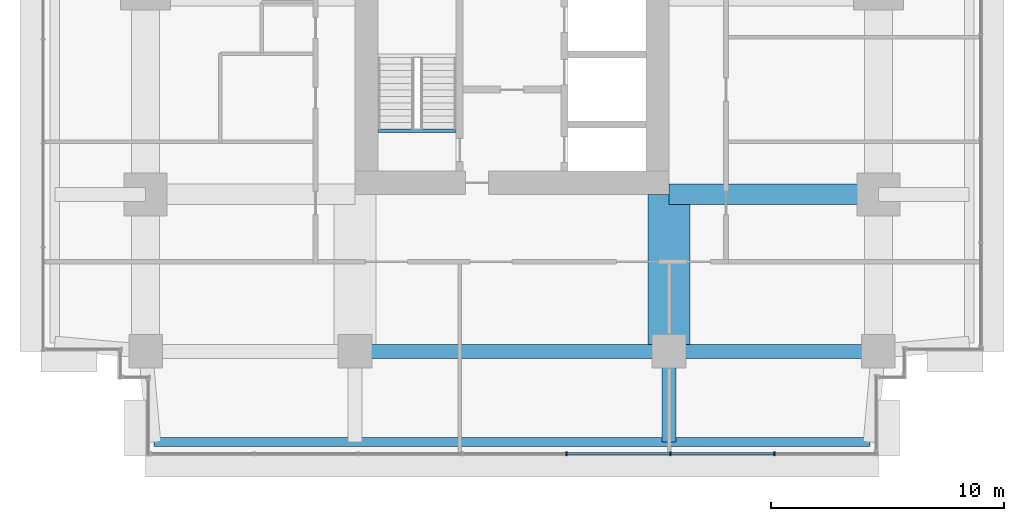
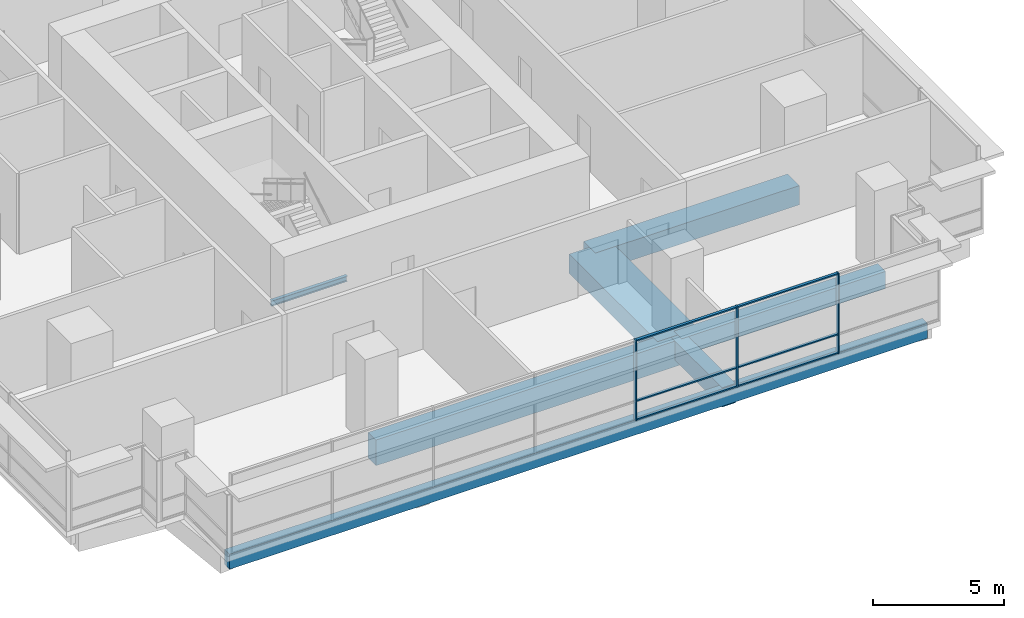
# One storey, part 3 of 14: 9 members, 7 beams, 1 element without a shape of its own.
"""IFC4 building model written with IfcOpenShell, lengths in metres."""

from ifc_helpers import new_model, si_unit, direction, frame, origin, origin_2d, place, context, subcontext, project, spatial, rectangle, i_section, extrude, material, layer, layer_set, material_profile, profile_set, type_object, element, aggregate, save


model = new_model("IFC4")

# Units and contexts
model_context = context("Model", 3, precision=1e-05, world=origin(), true_north=direction((0.0, 1.0)))
body_context = subcontext(model_context, "Body", "Model", "MODEL_VIEW")
ifc_project = project(units=[si_unit("LENGTHUNIT", "METRE"), si_unit("AREAUNIT", "SQUARE_METRE"), si_unit("VOLUMEUNIT", "CUBIC_METRE"), si_unit("PLANEANGLEUNIT", "RADIAN"), si_unit("MASSUNIT", "GRAM", prefix="KILO")], contexts=[model_context])

# Site, building, storey
site_placement = place(None, origin())
site = spatial("IfcSite", under=ifc_project, at=site_placement, CompositionType="ELEMENT")
building_placement = place(site_placement, origin())
building = spatial("IfcBuilding", under=site, at=building_placement, Name="Namib Vertical Campus", CompositionType="ELEMENT")
storey_placement = place(building_placement, frame((0.0, 0.0, 269.0)))
storey = spatial("IfcBuildingStorey", under=building, at=storey_placement, Name="L63", CompositionType="ELEMENT", Elevation=269.0)

# Beam
ifc_material_1 = material(Name="Concrete C40/50", Category="concrete")
ifc_material_profile_1 = material_profile(ifc_material_1, rectangle(XDim=0.60009765625, YDim=0.89990234375, at=origin_2d()))
ifc_profile_set_1 = profile_set([ifc_material_profile_1], Name="Concrete C40/50")
beam_type_1 = type_object("IfcBeamType", Name="Cantilever girder RC 600x900", PredefinedType="BEAM", material=ifc_profile_set_1)
beam_1_placement = place(storey_placement, frame((27.0, 4.5, -0.699951171875), z_axis=(0.0, -1.0, 0.0), x_axis=(1.0, 0.0, 0.0)))
element("IfcBeam", 1, at=beam_1_placement, inside=storey, type_object=beam_type_1, Name="Beam B3 L63", PredefinedType="BEAM", context=body_context, shape_type="SweptSolid", body=[
    extrude(rectangle(XDim=0.60009765625, YDim=0.89990234375, at=origin_2d()), origin(), (0.0, 0.0, 1.0), 3.89990234375),
])

# Curtain wall, members
ifc_material_2 = material(Name="Black aluminium curtain wall", Category="aluminium")
ifc_layer = layer(ifc_material_2, 0.199951171875)
ifc_layer_set = layer_set([ifc_layer], Name="Lounge bench curtain wall CW-LB")
curtain_wall_type = type_object("IfcCurtainWallType", Name="Lounge bench curtain wall CW-LB", PredefinedType="USERDEFINED", material=ifc_layer_set)
curtain_wall_placement = place(storey_placement, origin())
curtain_wall = element("IfcCurtainWall", 2, at=curtain_wall_placement, inside=storey, type_object=curtain_wall_type, Name="Curtain wall CW-LB L63 F01-1", ObjectType="CURTAIN WALL", PredefinedType="USERDEFINED")
ifc_material_3 = material(Name="Black anodised aluminium", Category="aluminium")
ifc_material_profile_2 = material_profile(ifc_material_3, rectangle(XDim=0.06005859375, YDim=0.159912109375, at=origin_2d()))
ifc_profile_set_2 = profile_set([ifc_material_profile_2], Name="Black anodised aluminium")
member_type_1 = type_object("IfcMemberType", Name="Curtain wall mullion 60x160", PredefinedType="MULLION", material=ifc_profile_set_2)
member_1_placement = place(storey_placement, frame((22.585693359375, 0.10009765625, 0.0), z_axis=(0.0, 0.0, 1.0), x_axis=(1.0, 0.0, 0.0)))
member_1 = element("IfcMember", 3, at=member_1_placement, type_object=member_type_1, Name="CW-LB mullion 5", PredefinedType="MULLION", context=body_context, shape_type="SweptSolid", body=[
    extrude(rectangle(XDim=0.06005859375, YDim=0.159912109375, at=origin_2d()), origin(), (0.0, 0.0, 1.0), 3.75),
])
member_2_placement = place(storey_placement, frame((27.05712890625, 0.10009765625, 0.0), z_axis=(0.0, 0.0, 1.0), x_axis=(1.0, 0.0, 0.0)))
member_2 = element("IfcMember", 4, at=member_2_placement, type_object=member_type_1, Name="CW-LB mullion 6", PredefinedType="MULLION", context=body_context, shape_type="SweptSolid", body=[
    extrude(rectangle(XDim=0.06005859375, YDim=0.159912109375, at=origin_2d()), origin(), (0.0, 0.0, 1.0), 3.75),
])
member_3_placement = place(storey_placement, frame((31.528564453125, 0.10009765625, 0.0), z_axis=(0.0, 0.0, 1.0), x_axis=(1.0, 0.0, 0.0)))
member_3 = element("IfcMember", 5, at=member_3_placement, type_object=member_type_1, Name="CW-LB mullion 7", PredefinedType="MULLION", context=body_context, shape_type="SweptSolid", body=[
    extrude(rectangle(XDim=0.06005859375, YDim=0.159912109375, at=origin_2d()), origin(), (0.0, 0.0, 1.0), 3.75),
])
ifc_material_4 = material(Name="Black anodised aluminium", Category="aluminium")
ifc_material_profile_3 = material_profile(ifc_material_4, rectangle(XDim=0.06005859375, YDim=0.1201171875, at=origin_2d()))
ifc_profile_set_3 = profile_set([ifc_material_profile_3], Name="Black anodised aluminium")
member_type_2 = type_object("IfcMemberType", Name="Curtain wall transom 60x120", PredefinedType="USERDEFINED", material=ifc_profile_set_3)
member_4_placement = place(storey_placement, frame((22.61572265625, 0.10009765625, 0.030029296875), z_axis=(1.0, 0.0, 0.0), x_axis=(0.0, 0.0, 1.0)))
member_4 = element("IfcMember", 6, at=member_4_placement, type_object=member_type_2, Name="CW-LB transom 5.1", ObjectType="TRANSOM", PredefinedType="USERDEFINED", context=body_context, shape_type="SweptSolid", body=[
    extrude(rectangle(XDim=0.06005859375, YDim=0.1201171875, at=origin_2d()), origin(), (0.0, 0.0, 1.0), 4.411376953125),
])
member_5_placement = place(storey_placement, frame((22.61572265625, 0.10009765625, 0.89990234375), z_axis=(1.0, 0.0, 0.0), x_axis=(0.0, 0.0, 1.0)))
member_5 = element("IfcMember", 7, at=member_5_placement, type_object=member_type_2, Name="CW-LB transom 5.2", ObjectType="TRANSOM", PredefinedType="USERDEFINED", context=body_context, shape_type="SweptSolid", body=[
    extrude(rectangle(XDim=0.06005859375, YDim=0.1201171875, at=origin_2d()), origin(), (0.0, 0.0, 1.0), 4.411376953125),
])
member_6_placement = place(storey_placement, frame((22.61572265625, 0.10009765625, 3.719970703125), z_axis=(1.0, 0.0, 0.0), x_axis=(0.0, 0.0, 1.0)))
member_6 = element("IfcMember", 8, at=member_6_placement, type_object=member_type_2, Name="CW-LB transom 5.3", ObjectType="TRANSOM", PredefinedType="USERDEFINED", context=body_context, shape_type="SweptSolid", body=[
    extrude(rectangle(XDim=0.06005859375, YDim=0.1201171875, at=origin_2d()), origin(), (0.0, 0.0, 1.0), 4.411376953125),
])
member_7_placement = place(storey_placement, frame((27.087158203125, 0.10009765625, 0.030029296875), z_axis=(1.0, 0.0, 0.0), x_axis=(0.0, 0.0, 1.0)))
member_7 = element("IfcMember", 9, at=member_7_placement, type_object=member_type_2, Name="CW-LB transom 6.1", ObjectType="TRANSOM", PredefinedType="USERDEFINED", context=body_context, shape_type="SweptSolid", body=[
    extrude(rectangle(XDim=0.06005859375, YDim=0.1201171875, at=origin_2d()), origin(), (0.0, 0.0, 1.0), 4.411376953125),
])
member_8_placement = place(storey_placement, frame((27.087158203125, 0.10009765625, 0.89990234375), z_axis=(1.0, 0.0, 0.0), x_axis=(0.0, 0.0, 1.0)))
member_8 = element("IfcMember", 10, at=member_8_placement, type_object=member_type_2, Name="CW-LB transom 6.2", ObjectType="TRANSOM", PredefinedType="USERDEFINED", context=body_context, shape_type="SweptSolid", body=[
    extrude(rectangle(XDim=0.06005859375, YDim=0.1201171875, at=origin_2d()), origin(), (0.0, 0.0, 1.0), 4.411376953125),
])
member_9_placement = place(storey_placement, frame((27.087158203125, 0.10009765625, 3.719970703125), z_axis=(1.0, 0.0, 0.0), x_axis=(0.0, 0.0, 1.0)))
member_9 = element("IfcMember", 11, at=member_9_placement, type_object=member_type_2, Name="CW-LB transom 6.3", ObjectType="TRANSOM", PredefinedType="USERDEFINED", context=body_context, shape_type="SweptSolid", body=[
    extrude(rectangle(XDim=0.06005859375, YDim=0.1201171875, at=origin_2d()), origin(), (0.0, 0.0, 1.0), 4.411376953125),
])
aggregate(curtain_wall, [member_1, member_2, member_3, member_4, member_5, member_6, member_7, member_8, member_9])

# Beams
ifc_material_5 = material(Name="Concrete C40/50", Category="concrete")
ifc_material_profile_4 = material_profile(ifc_material_5, rectangle(XDim=0.39990234375, YDim=0.699951171875, at=origin_2d()))
ifc_profile_set_4 = profile_set([ifc_material_profile_4], Name="Concrete C40/50")
beam_type_2 = type_object("IfcBeamType", Name="Edge beam RC 400x700", PredefinedType="SPANDREL", material=ifc_profile_set_4)
beam_2_placement = place(storey_placement, frame((4.85009765625, 0.60009765625, -0.60009765625), z_axis=(1.0, 0.0, 0.0), x_axis=(0.0, 1.0, 0.0)))
element("IfcBeam", 12, at=beam_2_placement, inside=storey, type_object=beam_type_2, Name="Beam B4 L63", PredefinedType="SPANDREL", context=body_context, shape_type="SweptSolid", body=[
    extrude(rectangle(XDim=0.39990234375, YDim=0.699951171875, at=origin_2d()), origin(), (0.0, 0.0, 1.0), 30.7998046875),
])
ifc_material_6 = material(Name="Concrete C40/50", Category="concrete")
ifc_material_profile_5 = material_profile(ifc_material_6, rectangle(XDim=0.89990234375, YDim=0.89990234375, at=origin_2d()))
ifc_profile_set_5 = profile_set([ifc_material_profile_5], Name="Concrete C40/50")
beam_type_3 = type_object("IfcBeamType", Name="Face girder RC 900x900", PredefinedType="BEAM", material=ifc_profile_set_5)
beam_3_placement = place(storey_placement, frame((36.0, 11.25, -0.699951171875), z_axis=(-1.0, 0.0, 0.0), x_axis=(0.0, -1.0, 0.0)))
element("IfcBeam", 13, at=beam_3_placement, inside=storey, type_object=beam_type_3, Name="Beam B10 L63", PredefinedType="BEAM", context=body_context, shape_type="SweptSolid", body=[
    extrude(rectangle(XDim=0.89990234375, YDim=0.89990234375, at=origin_2d()), origin(), (0.0, 0.0, 1.0), 9.0),
])
ifc_material_7 = material(Name="Steel S355JR", Category="steel")
ifc_material_profile_6 = material_profile(ifc_material_7, i_section(OverallWidth=0.14599609375, OverallDepth=0.25146484375, WebThickness=0.006103515625, FlangeThickness=0.008544921875, FilletRadius=0.007568359375, at=origin_2d()))
ifc_profile_set_6 = profile_set([ifc_material_profile_6], Name="Steel S355JR")
beam_type_4 = type_object("IfcBeamType", Name="Landing trimmer UB 254x146x31", PredefinedType="BEAM", material=ifc_profile_set_6)
beam_4_placement = place(storey_placement, frame((14.5, 13.97705078125, -0.125732421875), z_axis=(1.0, 0.0, 0.0), x_axis=(0.0, 1.0, 0.0)))
element("IfcBeam", 14, at=beam_4_placement, inside=storey, type_object=beam_type_4, Name="Landing trimmer LT1 A-S1 L63 1", PredefinedType="BEAM", context=body_context, shape_type="SweptSolid", body=[
    extrude(i_section(OverallWidth=0.14599609375, OverallDepth=0.25146484375, WebThickness=0.006103515625, FlangeThickness=0.008544921875, FilletRadius=0.007568359375, at=origin_2d()), origin(), (0.0, 0.0, 1.0), 3.35009765625),
])
ifc_material_8 = material(Name="Concrete C40/50", Category="concrete")
ifc_material_profile_7 = material_profile(ifc_material_8, rectangle(XDim=0.60009765625, YDim=1.199951171875, at=origin_2d()))
ifc_profile_set_7 = profile_set([ifc_material_profile_7], Name="Concrete C40/50")
beam_type_5 = type_object("IfcBeamType", Name="Long-span ring beam RC 600x1200", PredefinedType="BEAM", material=ifc_profile_set_7)
beam_5_placement = place(storey_placement, frame((13.5, 4.5, -0.85009765625), z_axis=(1.0, 0.0, 0.0), x_axis=(0.0, 1.0, 0.0)))
element("IfcBeam", 15, at=beam_5_placement, inside=storey, type_object=beam_type_5, Name="Beam B9 L63", PredefinedType="BEAM", context=body_context, shape_type="SweptSolid", body=[
    extrude(rectangle(XDim=0.60009765625, YDim=1.199951171875, at=origin_2d()), origin(), (0.0, 0.0, 1.0), 13.5),
])
ifc_material_9 = material(Name="Concrete C40/50", Category="concrete")
ifc_material_profile_8 = material_profile(ifc_material_9, rectangle(XDim=1.800048828125, YDim=0.89990234375, at=origin_2d()))
ifc_profile_set_8 = profile_set([ifc_material_profile_8], Name="Concrete C40/50")
beam_type_6 = type_object("IfcBeamType", Name="Outrigger line girder RC 1800x900", PredefinedType="BEAM", material=ifc_profile_set_8)
beam_6_placement = place(storey_placement, frame((27.0, 4.5, -0.699951171875), z_axis=(0.0, 1.0, 0.0), x_axis=(-1.0, 0.0, 0.0)))
element("IfcBeam", 16, at=beam_6_placement, inside=storey, type_object=beam_type_6, Name="Beam B12 L63", PredefinedType="BEAM", context=body_context, shape_type="SweptSolid", body=[
    extrude(rectangle(XDim=1.800048828125, YDim=0.89990234375, at=origin_2d()), origin(), (0.0, 0.0, 1.0), 6.75),
])
ifc_material_10 = material(Name="Concrete C40/50", Category="concrete")
ifc_material_profile_9 = material_profile(ifc_material_10, rectangle(XDim=0.60009765625, YDim=0.800048828125, at=origin_2d()))
ifc_profile_set_9 = profile_set([ifc_material_profile_9], Name="Concrete C40/50")
beam_type_7 = type_object("IfcBeamType", Name="Ring beam RC 600x800", PredefinedType="BEAM", material=ifc_profile_set_9)
beam_7_placement = place(storey_placement, frame((27.0, 4.5, -0.64990234375), z_axis=(1.0, 0.0, 0.0), x_axis=(0.0, 1.0, 0.0)))
element("IfcBeam", 17, at=beam_7_placement, inside=storey, type_object=beam_type_7, Name="Beam B1 L63", PredefinedType="BEAM", context=body_context, shape_type="SweptSolid", body=[
    extrude(rectangle(XDim=0.60009765625, YDim=0.800048828125, at=origin_2d()), origin(), (0.0, 0.0, 1.0), 9.0),
])

save(model, "model.ifc")
